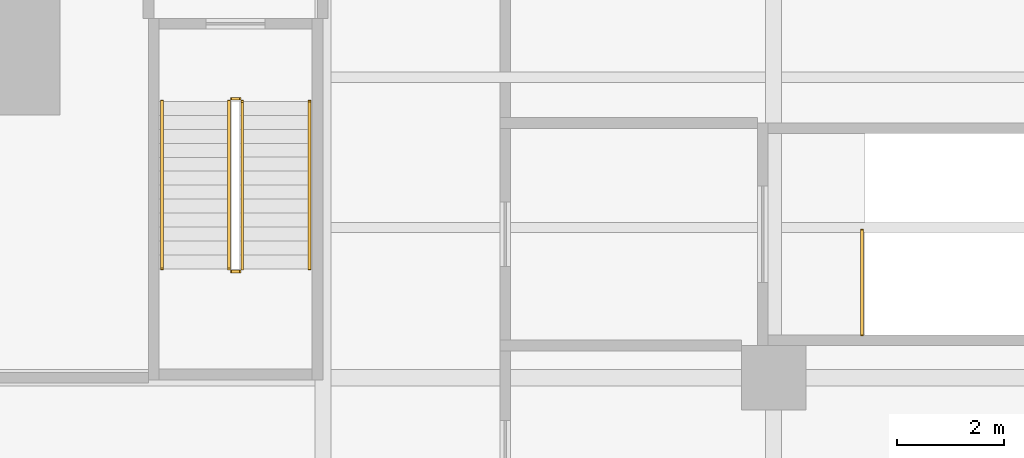
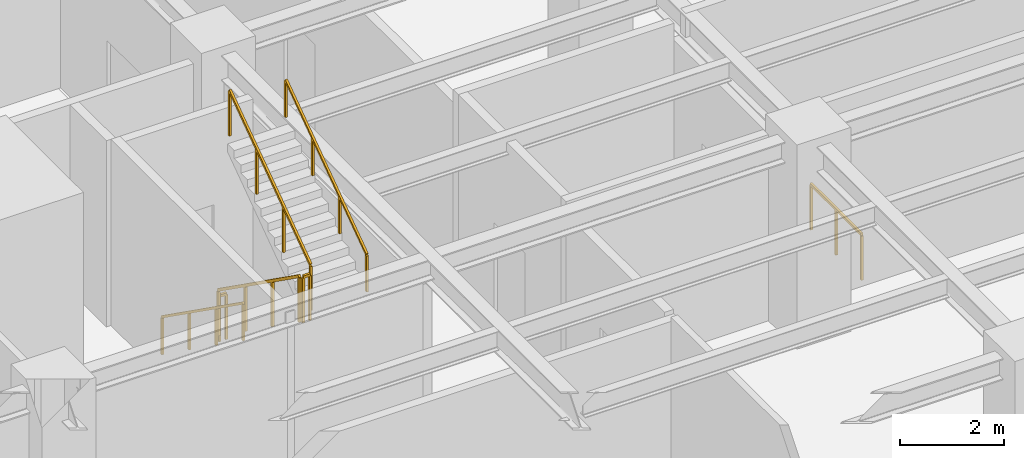
# One storey, part 49 of 53: 7 railings.
"""IFC4 building model written with IfcOpenShell, lengths in metres."""

from ifc_helpers import new_model, si_unit, direction, frame, origin, origin_2d, place, context, subcontext, project, spatial, rectangle, extrude, material, type_object, element, save


model = new_model("IFC4")

# Units and contexts
model_context = context("Model", 3, precision=1e-05, world=origin(), true_north=direction((0.0, 1.0)))
body_context = subcontext(model_context, "Body", "Model", "MODEL_VIEW")
ifc_project = project(units=[si_unit("LENGTHUNIT", "METRE"), si_unit("AREAUNIT", "SQUARE_METRE"), si_unit("VOLUMEUNIT", "CUBIC_METRE"), si_unit("PLANEANGLEUNIT", "RADIAN"), si_unit("MASSUNIT", "GRAM", prefix="KILO")], contexts=[model_context])

# Site, building, storey
site_placement = place(None, origin())
site = spatial("IfcSite", under=ifc_project, at=site_placement, CompositionType="ELEMENT")
building_placement = place(site_placement, origin())
building = spatial("IfcBuilding", under=site, at=building_placement, Name="Khepri Terraces", CompositionType="ELEMENT")
storey_placement = place(building_placement, frame((0.0, 0.0, 7.199951171875)))
storey = spatial("IfcBuildingStorey", under=building, at=storey_placement, Name="L01", CompositionType="ELEMENT", Elevation=7.199951171875)

# Railings
ifc_material = material(Name="Stainless steel 316", Category="steel")
railing_type_1 = type_object("IfcRailingType", Name="RL-POD-GUARD", PredefinedType="GUARDRAIL", material=ifc_material)
railing_1_placement = place(storey_placement, frame((23.449951171875, -20.050048828125, 0.1845703125)))
element("IfcRailing", 1, at=railing_1_placement, inside=storey, type_object=railing_type_1, Name="L01 PS-3 stair guard 1", PredefinedType="GUARDRAIL", context=body_context, shape_type="SweptSolid", body=[
    extrude(rectangle(XDim=0.050048828125, YDim=0.06005859375, at=origin_2d()), frame((0.0, 0.0, 1.070068359375), z_axis=(0.0, -0.815325456587, 0.579002935952), x_axis=(1.0, 0.0, 0.0)), (0.0, 0.0, 1.0), 3.826416015625),
    extrude(rectangle(XDim=0.050048828125, YDim=0.050048828125, at=origin_2d()), origin(), (0.0, 0.0, 1.0), 1.0400390625),
    extrude(rectangle(XDim=0.050048828125, YDim=0.050048828125, at=origin_2d()), frame((0.0, -1.0400390625, 0.738525390625)), (0.0, 0.0, 1.0), 1.0400390625),
    extrude(rectangle(XDim=0.050048828125, YDim=0.050048828125, at=origin_2d()), frame((0.0, -2.079833984375, 1.47705078125)), (0.0, 0.0, 1.0), 1.0400390625),
    extrude(rectangle(XDim=0.050048828125, YDim=0.050048828125, at=origin_2d()), frame((0.0, -3.119873046875, 2.215576171875)), (0.0, 0.0, 1.0), 1.0400390625),
])
railing_2_placement = place(storey_placement, frame((23.5, -23.219970703125, 2.400146484375)))
element("IfcRailing", 2, at=railing_2_placement, inside=storey, type_object=railing_type_1, Name="L01 PS-3 stair guard 2", PredefinedType="GUARDRAIL", context=body_context, shape_type="SweptSolid", body=[
    extrude(rectangle(XDim=0.050048828125, YDim=0.06005859375, at=origin_2d()), frame((0.0, 0.0, 1.070068359375), z_axis=(1.0, 0.0, 0.0), x_axis=(0.0, 1.0, 0.0)), (0.0, 0.0, 1.0), 0.14990234375),
    extrude(rectangle(XDim=0.050048828125, YDim=0.050048828125, at=origin_2d()), origin(), (0.0, 0.0, 1.0), 1.0400390625),
    extrude(rectangle(XDim=0.050048828125, YDim=0.050048828125, at=origin_2d()), frame((0.14990234375, 0.0, 0.0)), (0.0, 0.0, 1.0), 1.0400390625),
])
railing_3_placement = place(storey_placement, frame((23.699951171875, -23.169921875, 2.584716796875)))
element("IfcRailing", 3, at=railing_3_placement, inside=storey, type_object=railing_type_1, Name="L01 PS-3 stair guard 3", PredefinedType="GUARDRAIL", context=body_context, shape_type="SweptSolid", body=[
    extrude(rectangle(XDim=0.050048828125, YDim=0.06005859375, at=origin_2d()), frame((0.0, 0.0, 1.070068359375), z_axis=(0.0, 0.815355575968, 0.57896052088), x_axis=(-1.0, 0.0, 0.0)), (0.0, 0.0, 1.0), 3.826416015625),
    extrude(rectangle(XDim=0.050048828125, YDim=0.050048828125, at=origin_2d()), origin(), (0.0, 0.0, 1.0), 1.0400390625),
    extrude(rectangle(XDim=0.050048828125, YDim=0.050048828125, at=origin_2d()), frame((0.0, 1.0400390625, 0.738525390625)), (0.0, 0.0, 1.0), 1.0400390625),
    extrude(rectangle(XDim=0.050048828125, YDim=0.050048828125, at=origin_2d()), frame((0.0, 2.079833984375, 1.476806640625)), (0.0, 0.0, 1.0), 1.0400390625),
    extrude(rectangle(XDim=0.050048828125, YDim=0.050048828125, at=origin_2d()), frame((0.0, 3.119873046875, 2.21533203125)), (0.0, 0.0, 1.0), 1.0400390625),
])
railing_4_placement = place(storey_placement, frame((23.5, -20.0, 0.0)))
element("IfcRailing", 4, at=railing_4_placement, inside=storey, type_object=railing_type_1, Name="L01 PS-3 stair guard 4", PredefinedType="GUARDRAIL", context=body_context, shape_type="SweptSolid", body=[
    extrude(rectangle(XDim=0.050048828125, YDim=0.06005859375, at=origin_2d()), frame((0.0, 0.0, 1.070068359375), z_axis=(1.0, 0.0, 0.0), x_axis=(0.0, 1.0, 0.0)), (0.0, 0.0, 1.0), 0.14990234375),
    extrude(rectangle(XDim=0.050048828125, YDim=0.050048828125, at=origin_2d()), origin(), (0.0, 0.0, 1.0), 1.0400390625),
    extrude(rectangle(XDim=0.050048828125, YDim=0.050048828125, at=origin_2d()), frame((0.14990234375, 0.0, 0.0)), (0.0, 0.0, 1.0), 1.0400390625),
])
railing_5_placement = place(storey_placement, frame((35.25, -24.39990234375, 0.0)))
element("IfcRailing", 5, at=railing_5_placement, inside=storey, type_object=railing_type_1, Name="L01 PS-8 top well guard 1", PredefinedType="GUARDRAIL", context=body_context, shape_type="SweptSolid", body=[
    extrude(rectangle(XDim=0.050048828125, YDim=0.06005859375, at=origin_2d()), frame((0.0, 0.0, 1.070068359375), z_axis=(0.0, 1.0, 0.0), x_axis=(-1.0, 0.0, 0.0)), (0.0, 0.0, 1.0), 1.949951171875),
    extrude(rectangle(XDim=0.050048828125, YDim=0.050048828125, at=origin_2d()), origin(), (0.0, 0.0, 1.0), 1.0400390625),
    extrude(rectangle(XDim=0.050048828125, YDim=0.050048828125, at=origin_2d()), frame((0.0, 0.97509765625, 0.0)), (0.0, 0.0, 1.0), 1.0400390625),
    extrude(rectangle(XDim=0.050048828125, YDim=0.050048828125, at=origin_2d()), frame((0.0, 1.949951171875, 0.0)), (0.0, 0.0, 1.0), 1.0400390625),
])
railing_type_2 = type_object("IfcRailingType", Name="RL-POD-HANDRAIL", PredefinedType="HANDRAIL", material=ifc_material)
railing_6_placement = place(storey_placement, frame((22.199951171875, -20.050048828125, 0.1845703125)))
element("IfcRailing", 6, at=railing_6_placement, inside=storey, type_object=railing_type_2, Name="L01 PS-3 stair handrail 1", PredefinedType="HANDRAIL", context=body_context, shape_type="SweptSolid", body=[
    extrude(rectangle(XDim=0.050048828125, YDim=0.050048828125, at=origin_2d()), frame((0.0, 0.0, 0.875), z_axis=(0.0, -0.815325456587, 0.579002935952), x_axis=(1.0, 0.0, 0.0)), (0.0, 0.0, 1.0), 3.826416015625),
    extrude(rectangle(XDim=0.050048828125, YDim=0.050048828125, at=origin_2d()), origin(), (0.0, 0.0, 1.0), 0.849853515625),
    extrude(rectangle(XDim=0.050048828125, YDim=0.050048828125, at=origin_2d()), frame((0.0, -1.0400390625, 0.738525390625)), (0.0, 0.0, 1.0), 0.849853515625),
    extrude(rectangle(XDim=0.050048828125, YDim=0.050048828125, at=origin_2d()), frame((0.0, -2.079833984375, 1.47705078125)), (0.0, 0.0, 1.0), 0.849853515625),
    extrude(rectangle(XDim=0.050048828125, YDim=0.050048828125, at=origin_2d()), frame((0.0, -3.119873046875, 2.215576171875)), (0.0, 0.0, 1.0), 0.849853515625),
])
railing_7_placement = place(storey_placement, frame((24.949951171875, -23.169921875, 2.584716796875)))
element("IfcRailing", 7, at=railing_7_placement, inside=storey, type_object=railing_type_2, Name="L01 PS-3 stair handrail 2", PredefinedType="HANDRAIL", context=body_context, shape_type="SweptSolid", body=[
    extrude(rectangle(XDim=0.050048828125, YDim=0.050048828125, at=origin_2d()), frame((0.0, 0.0, 0.875), z_axis=(0.0, 0.815355575968, 0.57896052088), x_axis=(-1.0, 0.0, 0.0)), (0.0, 0.0, 1.0), 3.826416015625),
    extrude(rectangle(XDim=0.050048828125, YDim=0.050048828125, at=origin_2d()), origin(), (0.0, 0.0, 1.0), 0.849853515625),
    extrude(rectangle(XDim=0.050048828125, YDim=0.050048828125, at=origin_2d()), frame((0.0, 1.0400390625, 0.738525390625)), (0.0, 0.0, 1.0), 0.849853515625),
    extrude(rectangle(XDim=0.050048828125, YDim=0.050048828125, at=origin_2d()), frame((0.0, 2.079833984375, 1.476806640625)), (0.0, 0.0, 1.0), 0.849853515625),
    extrude(rectangle(XDim=0.050048828125, YDim=0.050048828125, at=origin_2d()), frame((0.0, 3.119873046875, 2.21533203125)), (0.0, 0.0, 1.0), 0.849853515625),
])

save(model, "model.ifc")
